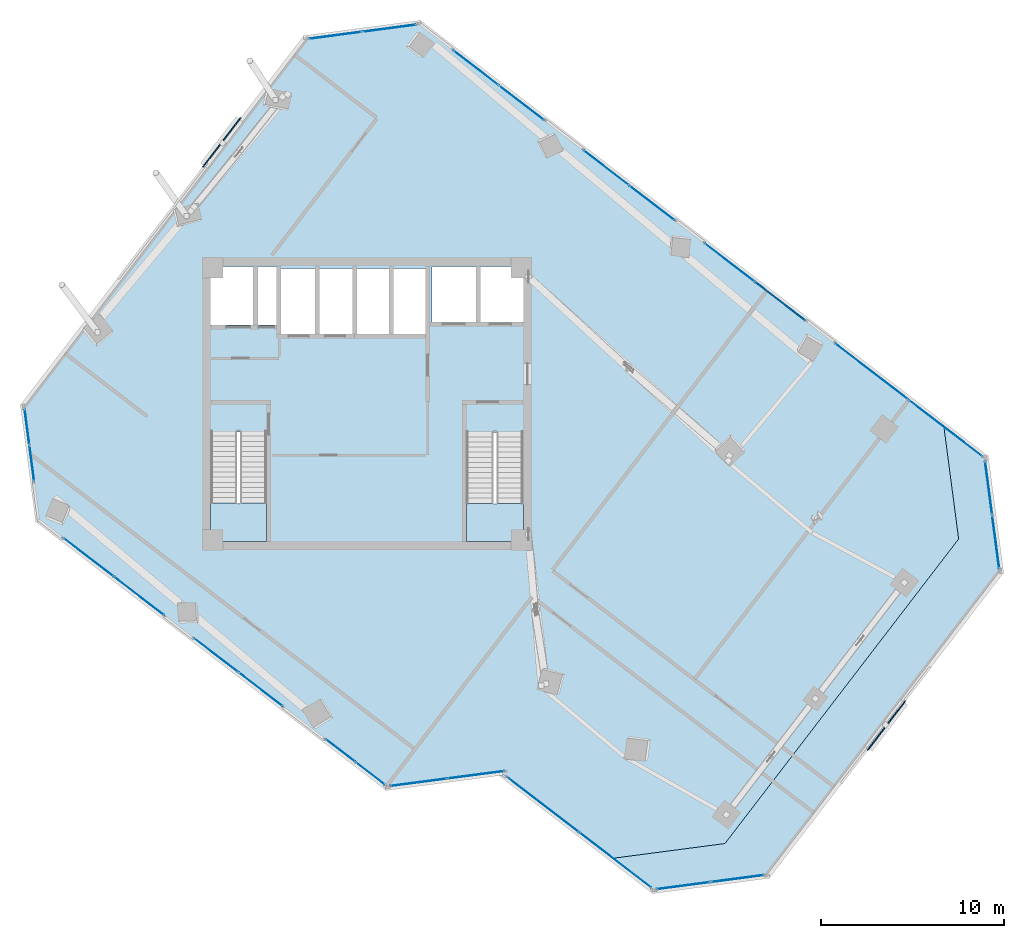
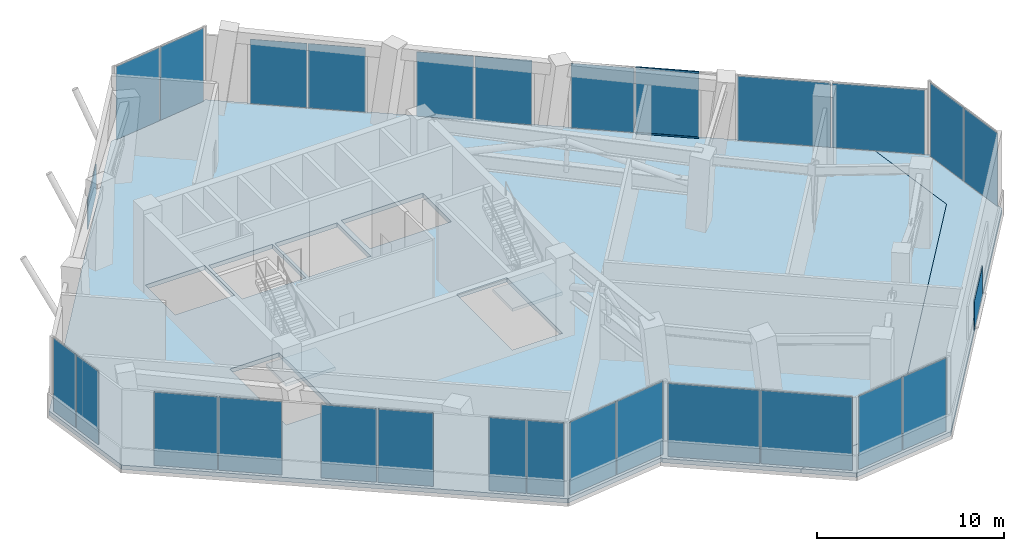
# One storey, part 16 of 22: 28 plates, 4 slabs, 2 members, 15 elements without a shape of their own.
"""IFC4 building model written with IfcOpenShell, lengths in metres."""

from ifc_helpers import new_model, si_unit, direction, frame, origin, origin_2d, place, context, subcontext, project, spatial, polyline, rectangle, hollow_rectangle, outline, extrude, source, transform, mapped, material, layer, layer_set, material_profile, profile_set, type_object, element, aggregate, save


model = new_model("IFC4")

# Units and contexts
model_context = context("Model", 3, precision=1e-05, world=origin(), true_north=direction((0.0, 1.0)))
body_context = subcontext(model_context, "Body", "Model", "MODEL_VIEW")
ifc_project = project(units=[si_unit("LENGTHUNIT", "METRE"), si_unit("AREAUNIT", "SQUARE_METRE"), si_unit("VOLUMEUNIT", "CUBIC_METRE"), si_unit("PLANEANGLEUNIT", "RADIAN"), si_unit("MASSUNIT", "GRAM", prefix="KILO")], contexts=[model_context])

# Site, building, storey
site_placement = place(None, origin())
site = spatial("IfcSite", under=ifc_project, at=site_placement, CompositionType="ELEMENT")
building_placement = place(site_placement, origin())
building = spatial("IfcBuilding", under=site, at=building_placement, Name="Torre Montelarca", CompositionType="ELEMENT")
storey_placement = place(building_placement, frame((0.0, 0.0, 209.800048828125)))
storey = spatial("IfcBuildingStorey", under=building, at=storey_placement, Name="L47", CompositionType="ELEMENT", Elevation=209.800048828125)

# Curtain wall, members
ifc_material_1 = material(Name="Insulated low-E laminated glass", Category="glass")
curtain_wall_type = type_object("IfcCurtainWallType", Name="CW-SYS-Z2", PredefinedType="USERDEFINED", material=ifc_material_1)
curtain_wall_1_placement = place(storey_placement, origin())
curtain_wall_1 = element("IfcCurtainWall", 1, at=curtain_wall_1_placement, inside=storey, type_object=curtain_wall_type, Name="L47 Curtain Wall Run CW-T3-L47-E08-B2", ObjectType="UNITISED GLAZING", PredefinedType="USERDEFINED")
ifc_material_2 = material(Name="Anodised aluminium AA 6063-T6", Category="aluminium")
ifc_material_profile = material_profile(ifc_material_2, hollow_rectangle(XDim=0.06494140625, YDim=0.139892578125, WallThickness=0.00390625, InnerFilletRadius=0.00390625, OuterFilletRadius=0.008056640625, at=origin_2d()), Name="ALU65X140X4", Category="aluminium")
ifc_profile_set = profile_set([ifc_material_profile], Name="Anodised aluminium AA 6063-T6")
member_type = type_object("IfcMemberType", Name="CWT-ALU140", PredefinedType="USERDEFINED", material=ifc_profile_set)
shared_shape_1 = source(origin(), body_context, "Body", "SweptSolid", [
    extrude(hollow_rectangle(XDim=0.06494140625, YDim=0.139892578125, WallThickness=0.00390625, InnerFilletRadius=0.00390625, OuterFilletRadius=0.008056640625, at=origin_2d()), origin(), (0.0, 0.0, 1.0), 3.42236328125),
])
member_1_placement = place(storey_placement, frame((41.957275390625, 36.558349609375, 0.032470703125), z_axis=(-0.793334164547, 0.60878641851, 0.0), x_axis=(-0.60878641851, -0.793334164547, 0.0)))
member_1 = element("IfcMember", 2, at=member_1_placement, type_object=member_type, Name="CW transom 1.1", ObjectType="TRANSOM", PredefinedType="USERDEFINED", context=body_context, shape_type="MappedRepresentation", body=[
    mapped(shared_shape_1, transform((0.0, 0.0, 0.0), scale=1.0)),
])
member_2_placement = place(storey_placement, frame((41.957275390625, 36.558349609375, 4.302490234375), z_axis=(-0.793334164547, 0.60878641851, 0.0), x_axis=(-0.60878641851, -0.793334164547, 0.0)))
member_2 = element("IfcMember", 3, at=member_2_placement, type_object=member_type, Name="CW transom 1.2", ObjectType="TRANSOM", PredefinedType="USERDEFINED", context=body_context, shape_type="MappedRepresentation", body=[
    mapped(shared_shape_1, transform((0.0, 0.0, 0.0), scale=1.0)),
])

# Slabs
ifc_material_3 = material(Name="Concrete C40/50", Category="concrete")
ifc_layer_1 = layer(ifc_material_3, 0.280029296875, Name="Concrete C40/50", Category="concrete")
ifc_layer_set_1 = layer_set([ifc_layer_1], Name="Concrete C40/50")
slab_type_1 = type_object("IfcSlabType", Name="SL-FLR-280", PredefinedType="FLOOR", material=ifc_layer_set_1)
slab_1_placement = place(storey_placement, frame((0.0, 0.0, -0.280029296875)))
element("IfcSlab", 4, at=slab_1_placement, inside=storey, type_object=slab_type_1, Name="L47 Structural Floor Slab", PredefinedType="FLOOR", context=body_context, shape_type="SweptSolid", body=[
    extrude(outline(polyline([(19.068115234375, 10.925537109375), (25.377685546875, 11.756103515625), (25.316650390625, 11.6767578125), (31.266845703125, 7.111083984375), (37.576416015625, 7.94189453125), (50.3603515625, 24.602294921875), (49.52978515625, 30.91162109375), (20.8896484375, 52.887939453125), (14.580078125, 52.057373046875), (-0.88232421875, 31.906005859375), (-0.0517578125, 25.5966796875), (19.068115234375, 10.925537109375)]), holes=[polyline([(26.550048828125, 24.449951171875), (23.43994140625, 24.449951171875), (23.43994140625, 30.429931640625), (26.550048828125, 30.429931640625), (26.550048828125, 24.449951171875)]), polyline([(9.449951171875, 24.449951171875), (9.449951171875, 30.4599609375), (12.5, 30.4599609375), (12.5, 24.449951171875), (9.449951171875, 24.449951171875)]), polyline([(17.25, 35.800048828125), (13.300048828125, 35.800048828125), (13.300048828125, 39.39990234375), (17.25, 39.39990234375), (17.25, 35.800048828125)]), polyline([(21.25, 39.39990234375), (21.25, 35.800048828125), (17.39990234375, 35.800048828125), (17.39990234375, 39.39990234375), (21.25, 39.39990234375)]), polyline([(13.1201171875, 36.300048828125), (9.449951171875, 36.300048828125), (9.449951171875, 39.5), (13.1201171875, 39.5), (13.1201171875, 36.300048828125)]), polyline([(26.60009765625, 36.449951171875), (21.550048828125, 36.449951171875), (21.550048828125, 39.5), (26.60009765625, 39.5), (26.60009765625, 36.449951171875)])]), origin(), (0.0, 0.0, 1.0), 0.280029296875),
])
slab_2_placement = place(storey_placement, frame((0.0, 0.0, -0.280029296875)))
element("IfcSlab", 5, at=slab_2_placement, inside=storey, type_object=slab_type_1, Name="L47 Sliding Tray Winter Garden Floor Slab E1", PredefinedType="FLOOR", context=body_context, shape_type="SweptSolid", body=[
    extrude(outline(polyline([(49.52978515625, 30.91162109375), (50.3603515625, 24.602294921875), (37.576416015625, 7.94189453125), (31.266845703125, 7.111083984375), (33.64697265625, 5.284912109375), (39.95654296875, 6.115478515625), (52.740478515625, 22.77587890625), (51.909912109375, 29.08544921875), (49.52978515625, 30.91162109375)])), origin(), (0.0, 0.0, 1.0), 0.280029296875),
])

# Stair, slab
stair_type_1 = type_object("IfcStairType", Name="ST-CORE-ST1", PredefinedType="HALF_TURN_STAIR", material=ifc_material_3)
stair_1_placement = place(storey_placement, origin())
stair_1 = element("IfcStair", 6, at=stair_1_placement, inside=storey, type_object=stair_type_1, Name="L47 Protected Exit Stair ST1", PredefinedType="HALF_TURN_STAIR")
ifc_layer_2 = layer(ifc_material_3, 0.199951171875, Name="Concrete C40/50", Category="concrete")
ifc_layer_set_2 = layer_set([ifc_layer_2], Name="Concrete C40/50")
slab_type_2 = type_object("IfcSlabType", Name="SL-ST-LAND-ST1", PredefinedType="LANDING", material=ifc_layer_set_2)
slab_3_placement = place(storey_placement, frame((0.0, 0.0, 2.5)))
slab_3 = element("IfcSlab", 7, at=slab_3_placement, type_object=slab_type_2, Name="ST1 landing 1", PredefinedType="LANDING", context=body_context, shape_type="SweptSolid", body=[
    extrude(outline(polyline([(9.449951171875, 26.580078125), (9.449951171875, 24.449951171875), (12.5, 24.449951171875), (12.5, 26.580078125), (9.449951171875, 26.580078125)])), origin(), (0.0, 0.0, 1.0), 0.199951171875),
])
aggregate(stair_1, [slab_3])

stair_type_2 = type_object("IfcStairType", Name="ST-CORE-ST2", PredefinedType="HALF_TURN_STAIR", material=ifc_material_3)
stair_2_placement = place(storey_placement, origin())
stair_2 = element("IfcStair", 8, at=stair_2_placement, inside=storey, type_object=stair_type_2, Name="L47 Protected Exit Stair ST2", PredefinedType="HALF_TURN_STAIR")
ifc_layer_3 = layer(ifc_material_3, 0.199951171875, Name="Concrete C40/50", Category="concrete")
ifc_layer_set_3 = layer_set([ifc_layer_3], Name="Concrete C40/50")
slab_type_3 = type_object("IfcSlabType", Name="SL-ST-LAND-ST2", PredefinedType="LANDING", material=ifc_layer_set_3)
slab_4_placement = place(storey_placement, frame((0.0, 0.0, 2.5)))
slab_4 = element("IfcSlab", 9, at=slab_4_placement, type_object=slab_type_3, Name="ST2 landing 1", PredefinedType="LANDING", context=body_context, shape_type="SweptSolid", body=[
    extrude(outline(polyline([(23.43994140625, 26.550048828125), (23.43994140625, 24.449951171875), (26.550048828125, 24.449951171875), (26.550048828125, 26.550048828125), (23.43994140625, 26.550048828125)])), origin(), (0.0, 0.0, 1.0), 0.199951171875),
])
aggregate(stair_2, [slab_4])

# Plates
ifc_material_4 = material(Name="Architectural perforated terracotta ceramic", Category="masonry")
ifc_layer_4 = layer(ifc_material_4, 0.074951171875, Name="Architectural perforated terracotta ceramic", Category="masonry")
ifc_layer_set_4 = layer_set([ifc_layer_4], Name="Architectural perforated terracotta ceramic")
plate_type_1 = type_object("IfcPlateType", Name="SCR-CER-75", PredefinedType="USERDEFINED", material=ifc_layer_set_4)
shared_shape_2 = source(origin(), body_context, "Body", "SweptSolid", [
    extrude(rectangle(XDim=3.39990234375, YDim=0.06005859375, at=origin_2d()), origin(), (0.0, 0.0, 1.0), 1.89990234375),
])
for number, where, z_axis, x_axis, name in (
    (10, (46.412109375, 14.39697265625, 0.5), (0.0, 0.0, 1.0), (0.608762813671, 0.793352277801, 0.0), "L47 Perforated Ceramic Brise-Soleil Screen E6-1"),
    (11, (10.052978515625, 46.288818359375, 0.5), (0.0, 0.0, 1.0), (-0.608762813671, -0.793352277801, 0.0), "L47 Perforated Ceramic Brise-Soleil Screen E10-1"),
):
    element("IfcPlate", number, at=place(storey_placement, frame(where, z_axis=z_axis, x_axis=x_axis)), inside=storey, type_object=plate_type_1, Name=name, ObjectType="SOLAR SCREEN", PredefinedType="USERDEFINED", context=body_context, shape_type="MappedRepresentation", body=[
        mapped(shared_shape_2, transform((0.0, 0.0, 0.0), scale=1.0)),
    ])

# Curtain wall, plates
curtain_wall_2_placement = place(storey_placement, origin())
curtain_wall_2 = element("IfcCurtainWall", 12, at=curtain_wall_2_placement, inside=storey, type_object=curtain_wall_type, Name="L47 Curtain Wall Run CW-T3-L47-E05-B1", ObjectType="UNITISED GLAZING", PredefinedType="USERDEFINED")
ifc_layer_5 = layer(ifc_material_1, 0.031982421875, Name="Insulated low-E laminated glass", Category="glass")
ifc_layer_set_5 = layer_set([ifc_layer_5], Name="Insulated low-E laminated glass")
plate_type_2 = type_object("IfcPlateType", Name="CWP-GLZ-32", PredefinedType="CURTAIN_PANEL", material=ifc_layer_set_5)
shared_shape_3 = source(origin(), body_context, "Body", "SweptSolid", [
    extrude(rectangle(XDim=2.918701171875, YDim=0.031982421875, at=origin_2d()), origin(), (0.0, 0.0, 1.0), 4.7900390625),
])
plate_1_placement = place(storey_placement, frame((35.3056640625, 5.63427734375, 0.06494140625), z_axis=(0.0, 0.0, 1.0), x_axis=(0.991446733158, 0.130511973823, 0.0)))
plate_1 = element("IfcPlate", 13, at=plate_1_placement, type_object=plate_type_2, Name="CW panel 1.1", PredefinedType="CURTAIN_PANEL", context=body_context, shape_type="MappedRepresentation", body=[
    mapped(shared_shape_3, transform((0.0, 0.0, 0.0), scale=1.0)),
])
plate_2_placement = place(storey_placement, frame((38.263671875, 6.023681640625, 0.06494140625), z_axis=(0.0, 0.0, 1.0), x_axis=(0.991446733158, 0.130511973823, 0.0)))
plate_2 = element("IfcPlate", 14, at=plate_2_placement, type_object=plate_type_2, Name="CW panel 2.1", PredefinedType="CURTAIN_PANEL", context=body_context, shape_type="MappedRepresentation", body=[
    mapped(shared_shape_3, transform((0.0, 0.0, 0.0), scale=1.0)),
])
aggregate(curtain_wall_2, [plate_1, plate_2])

curtain_wall_3_placement = place(storey_placement, origin())
curtain_wall_3 = element("IfcCurtainWall", 15, at=curtain_wall_3_placement, inside=storey, type_object=curtain_wall_type, Name="L47 Curtain Wall Run CW-T3-L47-E07-B1", ObjectType="UNITISED GLAZING", PredefinedType="USERDEFINED")
plate_3_placement = place(storey_placement, frame((52.390869140625, 24.4345703125, 0.06494140625), z_axis=(0.0, 0.0, 1.0), x_axis=(-0.130514118862, 0.991446450787, 0.0)))
plate_3 = element("IfcPlate", 16, at=plate_3_placement, type_object=plate_type_2, Name="CW panel 1.1", PredefinedType="CURTAIN_PANEL", context=body_context, shape_type="MappedRepresentation", body=[
    mapped(shared_shape_3, transform((0.0, 0.0, 0.0), scale=1.0)),
])
plate_4_placement = place(storey_placement, frame((52.00146484375, 27.392822265625, 0.06494140625), z_axis=(0.0, 0.0, 1.0), x_axis=(-0.130514118862, 0.991446450787, 0.0)))
plate_4 = element("IfcPlate", 17, at=plate_4_placement, type_object=plate_type_2, Name="CW panel 2.1", PredefinedType="CURTAIN_PANEL", context=body_context, shape_type="MappedRepresentation", body=[
    mapped(shared_shape_3, transform((0.0, 0.0, 0.0), scale=1.0)),
])
aggregate(curtain_wall_3, [plate_3, plate_4])

curtain_wall_4_placement = place(storey_placement, origin())
curtain_wall_4 = element("IfcCurtainWall", 18, at=curtain_wall_4_placement, inside=storey, type_object=curtain_wall_type, Name="L47 Curtain Wall Run CW-T3-L47-E09-B1", ObjectType="UNITISED GLAZING", PredefinedType="USERDEFINED")
plate_5_placement = place(storey_placement, frame((19.23095703125, 52.53857421875, 0.06494140625), z_axis=(0.0, 0.0, 1.0), x_axis=(-0.991446450787, -0.130514118862, 0.0)))
plate_5 = element("IfcPlate", 19, at=plate_5_placement, type_object=plate_type_2, Name="CW panel 1.1", PredefinedType="CURTAIN_PANEL", context=body_context, shape_type="MappedRepresentation", body=[
    mapped(shared_shape_3, transform((0.0, 0.0, 0.0), scale=1.0)),
])
plate_6_placement = place(storey_placement, frame((16.27294921875, 52.14892578125, 0.06494140625), z_axis=(0.0, 0.0, 1.0), x_axis=(-0.991446450787, -0.130514118862, 0.0)))
plate_6 = element("IfcPlate", 20, at=plate_6_placement, type_object=plate_type_2, Name="CW panel 2.1", PredefinedType="CURTAIN_PANEL", context=body_context, shape_type="MappedRepresentation", body=[
    mapped(shared_shape_3, transform((0.0, 0.0, 0.0), scale=1.0)),
])
aggregate(curtain_wall_4, [plate_5, plate_6])

curtain_wall_5_placement = place(storey_placement, origin())
curtain_wall_5 = element("IfcCurtainWall", 21, at=curtain_wall_5_placement, inside=storey, type_object=curtain_wall_type, Name="L47 Curtain Wall Run CW-T3-L47-E01-B1", ObjectType="UNITISED GLAZING", PredefinedType="USERDEFINED")
shared_shape_4 = source(origin(), body_context, "Body", "SweptSolid", [
    extrude(rectangle(XDim=3.422607421875, YDim=0.031982421875, at=origin_2d()), origin(), (0.0, 0.0, 1.0), 4.7900390625),
])
plate_7_placement = place(storey_placement, frame((2.76953125, 23.595703125, 0.06494140625), z_axis=(0.0, 0.0, 1.0), x_axis=(0.793351604181, -0.608763691545, 0.0)))
plate_7 = element("IfcPlate", 22, at=plate_7_placement, type_object=plate_type_2, Name="CW panel 1.1", PredefinedType="CURTAIN_PANEL", context=body_context, shape_type="MappedRepresentation", body=[
    mapped(shared_shape_4, transform((0.0, 0.0, 0.0), scale=1.0)),
])
plate_8_placement = place(storey_placement, frame((5.536376953125, 21.47265625, 0.06494140625), z_axis=(0.0, 0.0, 1.0), x_axis=(0.793351604181, -0.608763691545, 0.0)))
plate_8 = element("IfcPlate", 23, at=plate_8_placement, type_object=plate_type_2, Name="CW panel 2.1", PredefinedType="CURTAIN_PANEL", context=body_context, shape_type="MappedRepresentation", body=[
    mapped(shared_shape_4, transform((0.0, 0.0, 0.0), scale=1.0)),
])
aggregate(curtain_wall_5, [plate_7, plate_8])

curtain_wall_6_placement = place(storey_placement, origin())
curtain_wall_6 = element("IfcCurtainWall", 24, at=curtain_wall_6_placement, inside=storey, type_object=curtain_wall_type, Name="L47 Curtain Wall Run CW-T3-L47-E01-B3", ObjectType="UNITISED GLAZING", PredefinedType="USERDEFINED")
shared_shape_5 = source(origin(), body_context, "Body", "SweptSolid", [
    extrude(rectangle(XDim=1.9921875, YDim=0.031982421875, at=origin_2d()), origin(), (0.0, 0.0, 1.0), 4.7900390625),
])
plate_9_placement = place(storey_placement, frame((16.5419921875, 13.02783203125, 0.06494140625), z_axis=(0.0, 0.0, 1.0), x_axis=(0.793359044633, -0.608753994894, 0.0)))
plate_9 = element("IfcPlate", 25, at=plate_9_placement, type_object=plate_type_2, Name="CW panel 1.1", PredefinedType="CURTAIN_PANEL", context=body_context, shape_type="MappedRepresentation", body=[
    mapped(shared_shape_5, transform((0.0, 0.0, 0.0), scale=1.0)),
])
plate_10_placement = place(storey_placement, frame((18.173828125, 11.775634765625, 0.06494140625), z_axis=(0.0, 0.0, 1.0), x_axis=(0.793359044633, -0.608753994894, 0.0)))
plate_10 = element("IfcPlate", 26, at=plate_10_placement, type_object=plate_type_2, Name="CW panel 2.1", PredefinedType="CURTAIN_PANEL", context=body_context, shape_type="MappedRepresentation", body=[
    mapped(shared_shape_5, transform((0.0, 0.0, 0.0), scale=1.0)),
])
aggregate(curtain_wall_6, [plate_9, plate_10])

curtain_wall_7_placement = place(storey_placement, origin())
curtain_wall_7 = element("IfcCurtainWall", 27, at=curtain_wall_7_placement, inside=storey, type_object=curtain_wall_type, Name="L47 Curtain Wall Run CW-T3-L47-E02-B1", ObjectType="UNITISED GLAZING", PredefinedType="USERDEFINED")
shared_shape_6 = source(origin(), body_context, "Body", "SweptSolid", [
    extrude(rectangle(XDim=3.1025390625, YDim=0.031982421875, at=origin_2d()), origin(), (0.0, 0.0, 1.0), 4.7900390625),
])
plate_11_placement = place(storey_placement, frame((20.81787109375, 11.287109375, 0.06494140625), z_axis=(0.0, 0.0, 1.0), x_axis=(0.991448923469, 0.130495333836, 0.0)))
plate_11 = element("IfcPlate", 28, at=plate_11_placement, type_object=plate_type_2, Name="CW panel 1.1", PredefinedType="CURTAIN_PANEL", context=body_context, shape_type="MappedRepresentation", body=[
    mapped(shared_shape_6, transform((0.0, 0.0, 0.0), scale=1.0)),
])
plate_12_placement = place(storey_placement, frame((23.95849609375, 11.700439453125, 0.06494140625), z_axis=(0.0, 0.0, 1.0), x_axis=(0.991448923469, 0.130495333836, 0.0)))
plate_12 = element("IfcPlate", 29, at=plate_12_placement, type_object=plate_type_2, Name="CW panel 2.1", PredefinedType="CURTAIN_PANEL", context=body_context, shape_type="MappedRepresentation", body=[
    mapped(shared_shape_6, transform((0.0, 0.0, 0.0), scale=1.0)),
])
aggregate(curtain_wall_7, [plate_11, plate_12])

curtain_wall_8_placement = place(storey_placement, origin())
curtain_wall_8 = element("IfcCurtainWall", 30, at=curtain_wall_8_placement, inside=storey, type_object=curtain_wall_type, Name="L47 Curtain Wall Run CW-T3-L47-E04-B1", ObjectType="UNITISED GLAZING", PredefinedType="USERDEFINED")
shared_shape_7 = source(origin(), body_context, "Body", "SweptSolid", [
    extrude(rectangle(XDim=4.948486328125, YDim=0.031982421875, at=origin_2d()), origin(), (0.0, 0.0, 1.0), 4.7900390625),
])
plate_13_placement = place(storey_placement, frame((27.602294921875, 10.086669921875, 0.06494140625), z_axis=(0.0, 0.0, 1.0), x_axis=(0.793356067767, -0.608757874476, 0.0)))
plate_13 = element("IfcPlate", 31, at=plate_13_placement, type_object=plate_type_2, Name="CW panel 1.1", PredefinedType="CURTAIN_PANEL", context=body_context, shape_type="MappedRepresentation", body=[
    mapped(shared_shape_7, transform((0.0, 0.0, 0.0), scale=1.0)),
])
plate_14_placement = place(storey_placement, frame((31.579833984375, 7.03466796875, 0.06494140625), z_axis=(0.0, 0.0, 1.0), x_axis=(0.793356067767, -0.608757874476, 0.0)))
plate_14 = element("IfcPlate", 32, at=plate_14_placement, type_object=plate_type_2, Name="CW panel 2.1", PredefinedType="CURTAIN_PANEL", context=body_context, shape_type="MappedRepresentation", body=[
    mapped(shared_shape_7, transform((0.0, 0.0, 0.0), scale=1.0)),
])
aggregate(curtain_wall_8, [plate_13, plate_14])

curtain_wall_9_placement = place(storey_placement, origin())
curtain_wall_9 = element("IfcCurtainWall", 33, at=curtain_wall_9_placement, inside=storey, type_object=curtain_wall_type, Name="L47 Curtain Wall Run CW-T3-L47-E01-B2", ObjectType="UNITISED GLAZING", PredefinedType="USERDEFINED")
shared_shape_8 = source(origin(), body_context, "Body", "SweptSolid", [
    extrude(rectangle(XDim=3.00732421875, YDim=0.031982421875, at=origin_2d()), origin(), (0.0, 0.0, 1.0), 4.7900390625),
])
plate_15_placement = place(storey_placement, frame((9.744873046875, 18.2431640625, 0.06494140625), z_axis=(0.0, 0.0, 1.0), x_axis=(0.793352013464, -0.60876315816, 0.0)))
plate_15 = element("IfcPlate", 34, at=plate_15_placement, type_object=plate_type_2, Name="CW panel 1.1", PredefinedType="CURTAIN_PANEL", context=body_context, shape_type="MappedRepresentation", body=[
    mapped(shared_shape_8, transform((0.0, 0.0, 0.0), scale=1.0)),
])
plate_16_placement = place(storey_placement, frame((12.182373046875, 16.373046875, 0.06494140625), z_axis=(0.0, 0.0, 1.0), x_axis=(0.793352013464, -0.60876315816, 0.0)))
plate_16 = element("IfcPlate", 35, at=plate_16_placement, type_object=plate_type_2, Name="CW panel 2.1", PredefinedType="CURTAIN_PANEL", context=body_context, shape_type="MappedRepresentation", body=[
    mapped(shared_shape_8, transform((0.0, 0.0, 0.0), scale=1.0)),
])
aggregate(curtain_wall_9, [plate_15, plate_16])

curtain_wall_10_placement = place(storey_placement, origin())
curtain_wall_10 = element("IfcCurtainWall", 36, at=curtain_wall_10_placement, inside=storey, type_object=curtain_wall_type, Name="L47 Curtain Wall Run CW-T3-L47-E08-B1", ObjectType="UNITISED GLAZING", PredefinedType="USERDEFINED")
shared_shape_9 = source(origin(), body_context, "Body", "SweptSolid", [
    extrude(rectangle(XDim=5.029541015625, YDim=0.031982421875, at=origin_2d()), origin(), (0.0, 0.0, 1.0), 4.205078125),
])
plate_17_placement = place(storey_placement, frame((49.65234375, 30.653564453125, 0.06494140625), z_axis=(0.0, 0.0, 1.0), x_axis=(-0.793356096178, 0.60875783745, 0.0)))
plate_17 = element("IfcPlate", 37, at=plate_17_placement, type_object=plate_type_2, Name="CW panel 1.1", PredefinedType="CURTAIN_PANEL", context=body_context, shape_type="MappedRepresentation", body=[
    mapped(shared_shape_9, transform((0.0, 0.0, 0.0), scale=1.0)),
])
plate_18_placement = place(storey_placement, frame((45.610595703125, 33.755126953125, 0.06494140625), z_axis=(0.0, 0.0, 1.0), x_axis=(-0.793356096178, 0.60875783745, 0.0)))
plate_18 = element("IfcPlate", 38, at=plate_18_placement, type_object=plate_type_2, Name="CW panel 2.1", PredefinedType="CURTAIN_PANEL", context=body_context, shape_type="MappedRepresentation", body=[
    mapped(shared_shape_9, transform((0.0, 0.0, 0.0), scale=1.0)),
])
aggregate(curtain_wall_10, [plate_17, plate_18])

# Plate
shared_shape_10 = source(origin(), body_context, "Body", "SweptSolid", [
    extrude(rectangle(XDim=3.42236328125, YDim=0.031982421875, at=origin_2d()), origin(), (0.0, 0.0, 1.0), 4.205078125),
])
plate_19_placement = place(storey_placement, frame((40.599853515625, 37.60009765625, 0.06494140625), z_axis=(0.0, 0.0, 1.0), x_axis=(-0.793346339987, 0.608770551875, 0.0)))
plate_19 = element("IfcPlate", 39, at=plate_19_placement, type_object=plate_type_2, Name="CW panel 1.1", PredefinedType="CURTAIN_PANEL", context=body_context, shape_type="MappedRepresentation", body=[
    mapped(shared_shape_10, transform((0.0, 0.0, 0.0), scale=1.0)),
])

plate_20_placement = place(storey_placement, frame((37.8330078125, 39.72314453125, 0.06494140625), z_axis=(0.0, 0.0, 1.0), x_axis=(-0.793346339987, 0.608770551875, 0.0)))
plate_20 = element("IfcPlate", 40, at=plate_20_placement, type_object=plate_type_2, Name="CW panel 2.1", PredefinedType="CURTAIN_PANEL", context=body_context, shape_type="MappedRepresentation", body=[
    mapped(shared_shape_10, transform((0.0, 0.0, 0.0), scale=1.0)),
])

aggregate(curtain_wall_1, [member_1, member_2, plate_19, plate_20])

# Curtain wall, plates
curtain_wall_11_placement = place(storey_placement, origin())
curtain_wall_11 = element("IfcCurtainWall", 41, at=curtain_wall_11_placement, inside=storey, type_object=curtain_wall_type, Name="L47 Curtain Wall Run CW-T3-L47-E08-B3", ObjectType="UNITISED GLAZING", PredefinedType="USERDEFINED")
shared_shape_11 = source(origin(), body_context, "Body", "SweptSolid", [
    extrude(rectangle(XDim=3.09033203125, YDim=0.031982421875, at=origin_2d()), origin(), (0.0, 0.0, 1.0), 4.205078125),
])
plate_21_placement = place(storey_placement, frame((33.59130859375, 42.977783203125, 0.06494140625), z_axis=(0.0, 0.0, 1.0), x_axis=(-0.793358650539, 0.608754508496, 0.0)))
plate_21 = element("IfcPlate", 42, at=plate_21_placement, type_object=plate_type_2, Name="CW panel 1.1", PredefinedType="CURTAIN_PANEL", context=body_context, shape_type="MappedRepresentation", body=[
    mapped(shared_shape_11, transform((0.0, 0.0, 0.0), scale=1.0)),
])
plate_22_placement = place(storey_placement, frame((31.087890625, 44.898681640625, 0.06494140625), z_axis=(0.0, 0.0, 1.0), x_axis=(-0.793358650539, 0.608754508496, 0.0)))
plate_22 = element("IfcPlate", 43, at=plate_22_placement, type_object=plate_type_2, Name="CW panel 2.1", PredefinedType="CURTAIN_PANEL", context=body_context, shape_type="MappedRepresentation", body=[
    mapped(shared_shape_11, transform((0.0, 0.0, 0.0), scale=1.0)),
])
aggregate(curtain_wall_11, [plate_21, plate_22])

curtain_wall_12_placement = place(storey_placement, origin())
curtain_wall_12 = element("IfcCurtainWall", 44, at=curtain_wall_12_placement, inside=storey, type_object=curtain_wall_type, Name="L47 Curtain Wall Run CW-T3-L47-E08-B4", ObjectType="UNITISED GLAZING", PredefinedType="USERDEFINED")
shared_shape_12 = source(origin(), body_context, "Body", "SweptSolid", [
    extrude(rectangle(XDim=3.086181640625, YDim=0.031982421875, at=origin_2d()), origin(), (0.0, 0.0, 1.0), 4.205078125),
])
plate_23_placement = place(storey_placement, frame((26.452880859375, 48.455322265625, 0.06494140625), z_axis=(0.0, 0.0, 1.0), x_axis=(-0.79335730576, 0.608756261074, 0.0)))
plate_23 = element("IfcPlate", 45, at=plate_23_placement, type_object=plate_type_2, Name="CW panel 1.1", PredefinedType="CURTAIN_PANEL", context=body_context, shape_type="MappedRepresentation", body=[
    mapped(shared_shape_12, transform((0.0, 0.0, 0.0), scale=1.0)),
])
plate_24_placement = place(storey_placement, frame((23.952880859375, 50.373779296875, 0.06494140625), z_axis=(0.0, 0.0, 1.0), x_axis=(-0.79335730576, 0.608756261074, 0.0)))
plate_24 = element("IfcPlate", 46, at=plate_24_placement, type_object=plate_type_2, Name="CW panel 2.1", PredefinedType="CURTAIN_PANEL", context=body_context, shape_type="MappedRepresentation", body=[
    mapped(shared_shape_12, transform((0.0, 0.0, 0.0), scale=1.0)),
])
aggregate(curtain_wall_12, [plate_23, plate_24])

curtain_wall_13_placement = place(storey_placement, origin())
curtain_wall_13 = element("IfcCurtainWall", 47, at=curtain_wall_13_placement, inside=storey, type_object=curtain_wall_type, Name="L47 Curtain Wall Run CW-T3-L47-E11-B1", ObjectType="UNITISED GLAZING", PredefinedType="USERDEFINED")
shared_shape_13 = source(origin(), body_context, "Body", "SweptSolid", [
    extrude(rectangle(XDim=1.94580078125, YDim=0.031982421875, at=origin_2d()), origin(), (0.0, 0.0, 1.0), 4.7900390625),
])
plate_25_placement = place(storey_placement, frame((-0.596435546875, 30.729736328125, 0.06494140625), z_axis=(0.0, 0.0, 1.0), x_axis=(0.130519075177, -0.991445798324, 0.0)))
plate_25 = element("IfcPlate", 48, at=plate_25_placement, type_object=plate_type_2, Name="CW panel 1.1", PredefinedType="CURTAIN_PANEL", context=body_context, shape_type="MappedRepresentation", body=[
    mapped(shared_shape_13, transform((0.0, 0.0, 0.0), scale=1.0)),
])
plate_26_placement = place(storey_placement, frame((-0.333984375, 28.73583984375, 0.06494140625), z_axis=(0.0, 0.0, 1.0), x_axis=(0.130519075177, -0.991445798324, 0.0)))
plate_26 = element("IfcPlate", 49, at=plate_26_placement, type_object=plate_type_2, Name="CW panel 2.1", PredefinedType="CURTAIN_PANEL", context=body_context, shape_type="MappedRepresentation", body=[
    mapped(shared_shape_13, transform((0.0, 0.0, 0.0), scale=1.0)),
])
aggregate(curtain_wall_13, [plate_25, plate_26])

save(model, "model.ifc")
